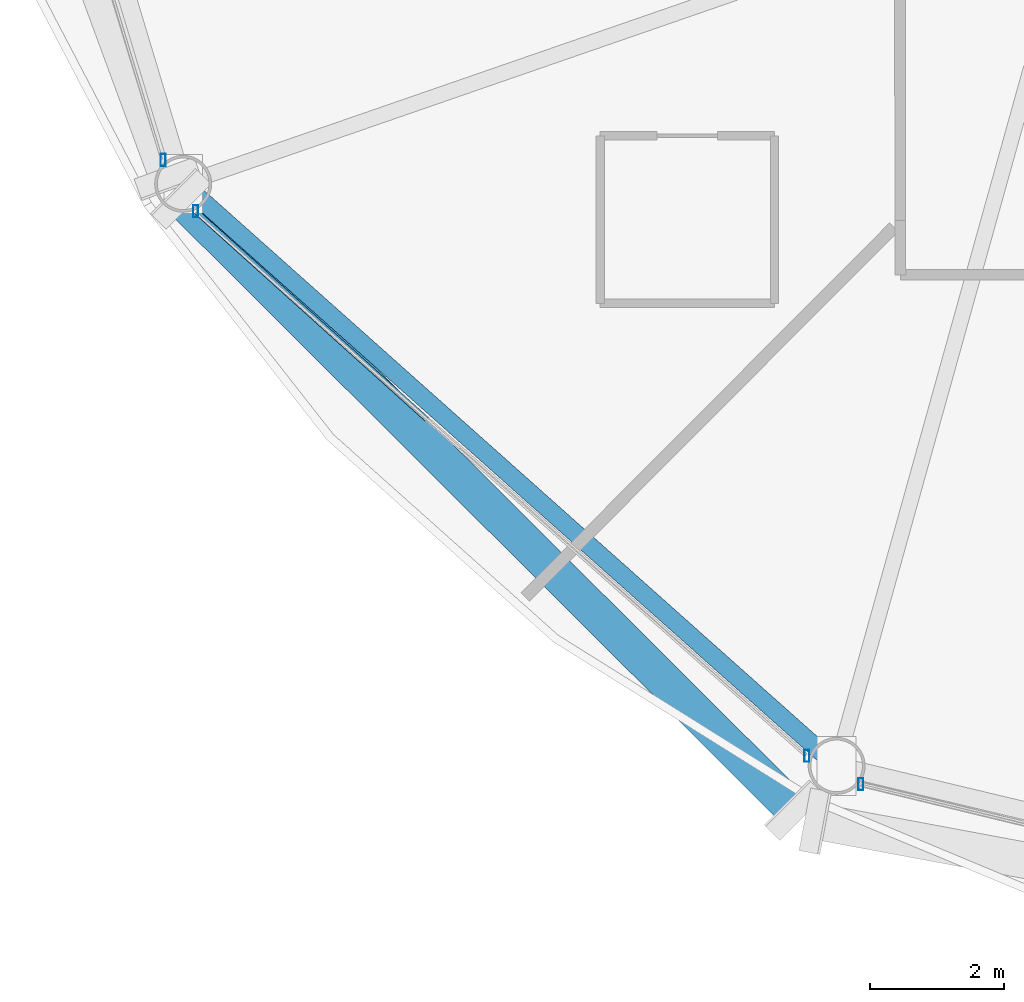
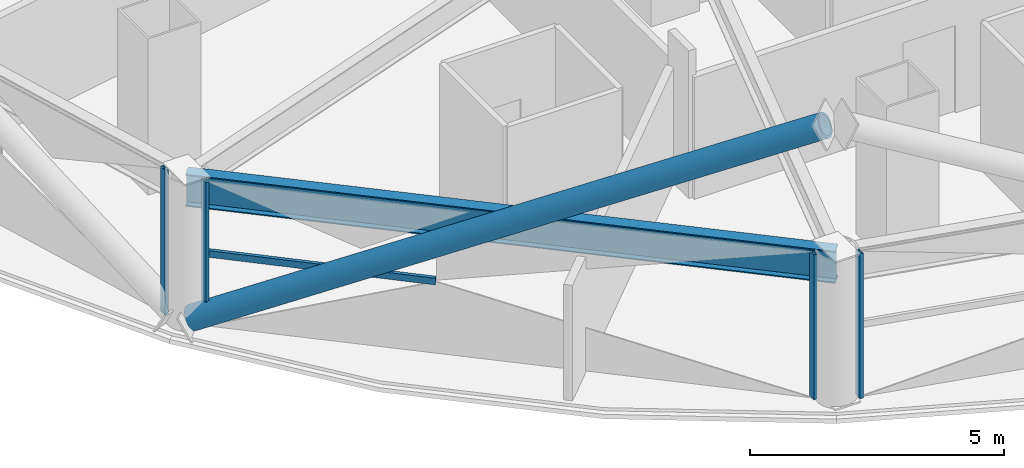
# One storey, part 2 of 30: 6 members, 1 beam, 3 elements without a shape of their own.
"""IFC4 building model written with IfcOpenShell, lengths in metres."""

from ifc_helpers import new_model, si_unit, direction, frame, origin, origin_2d, place, context, subcontext, project, spatial, hollow_rectangle, hollow_circle, i_section, extrude, material, layer, layer_set, material_profile, profile_set, type_object, element, aggregate, save


model = new_model("IFC4")

# Units and contexts
model_context = context("Model", 3, precision=1e-05, world=origin(), true_north=direction((0.0, 1.0)))
body_context = subcontext(model_context, "Body", "Model", "MODEL_VIEW")
ifc_project = project(units=[si_unit("LENGTHUNIT", "METRE"), si_unit("AREAUNIT", "SQUARE_METRE"), si_unit("VOLUMEUNIT", "CUBIC_METRE"), si_unit("PLANEANGLEUNIT", "RADIAN"), si_unit("MASSUNIT", "GRAM", prefix="KILO")], contexts=[model_context])

# Site, building, storey
site_placement = place(None, origin())
site = spatial("IfcSite", under=ifc_project, at=site_placement, CompositionType="ELEMENT")
building_placement = place(site_placement, origin())
building = spatial("IfcBuilding", under=site, at=building_placement, Name="Vantalir Tower", CompositionType="ELEMENT")
storey_placement = place(building_placement, frame((0.0, 0.0, 49.5)))
storey = spatial("IfcBuildingStorey", under=building, at=storey_placement, Name="L11", CompositionType="ELEMENT", Elevation=49.5)

# Beam
ifc_material_1 = material(Name="Steel S460", Category="steel")
ifc_material_profile_1 = material_profile(ifc_material_1, i_section(OverallWidth=0.26806640625, OverallDepth=0.77001953125, WebThickness=0.015625, FlangeThickness=0.025390625, at=origin_2d()), Name="Steel S460")
ifc_profile_set_1 = profile_set([ifc_material_profile_1], Name="Steel S460")
beam_type = type_object("IfcBeamType", Name="BM-RG-762x267", PredefinedType="USERDEFINED", material=ifc_profile_set_1)
beam_placement = place(storey_placement, frame((8.429931640625, 13.136962890625, 3.18505859375), z_axis=(0.746746630555, -0.665108615005, 0.0), x_axis=(0.665108615005, 0.746746630555, 0.0)))
element("IfcBeam", 1, at=beam_placement, inside=storey, type_object=beam_type, Name="L11 Circumferential Ring Girder 08", ObjectType="GIRDER", PredefinedType="USERDEFINED", context=body_context, shape_type="SweptSolid", body=[
    extrude(i_section(OverallWidth=0.26806640625, OverallDepth=0.77001953125, WebThickness=0.015625, FlangeThickness=0.025390625, at=origin_2d()), origin(), (0.0, 0.0, 1.0), 13.056640625),
])

# Curtain wall, member
ifc_material_2 = material(Name="Champagne-silver PVDF aluminium and double-silver Low-E glass", Category="aluminium")
ifc_layer = layer(ifc_material_2, 0.18994140625)
ifc_layer_set = layer_set([ifc_layer], Name="Champagne-silver PVDF aluminium and double-silver Low-E glass")
curtain_wall_type = type_object("IfcCurtainWallType", Name="CW-DIAMOND-Z1", PredefinedType="USERDEFINED", material=ifc_layer_set)
curtain_wall_1_placement = place(storey_placement, origin())
curtain_wall_1 = element("IfcCurtainWall", 2, at=curtain_wall_1_placement, inside=storey, type_object=curtain_wall_type, Name="L11 Quilted Pyramid-Diamond Curtain Wall S07", ObjectType="UNITISED CURTAIN WALL", PredefinedType="USERDEFINED")
ifc_material_3 = material(Name="Champagne-silver PVDF aluminium 6063-T6", Category="aluminium")
ifc_material_profile_2 = material_profile(ifc_material_3, hollow_rectangle(XDim=0.074951171875, YDim=0.179931640625, WallThickness=0.00390625, at=origin_2d()), Name="Champagne-silver PVDF aluminium 6063-T6")
ifc_profile_set_2 = profile_set([ifc_material_profile_2], Name="Champagne-silver PVDF aluminium 6063-T6")
member_type_1 = type_object("IfcMemberType", Name="CWM-180x75", PredefinedType="MULLION", material=ifc_profile_set_2)
member_1_placement = place(storey_placement, frame((8.1298828125, 13.491943359375, 0.044921875), z_axis=(0.0, 0.0, 1.0), x_axis=(1.0, 0.0, 0.0)))
member_1 = element("IfcMember", 3, at=member_1_placement, type_object=member_type_1, Name="CW-L11-S07 Mullion 2", PredefinedType="MULLION", context=body_context, shape_type="SweptSolid", body=[
    extrude(hollow_rectangle(XDim=0.074951171875, YDim=0.179931640625, WallThickness=0.00390625, at=origin_2d()), origin(), (0.0, 0.0, 1.0), 3.47998046875),
])
aggregate(curtain_wall_1, [member_1])

# Curtain wall, members
curtain_wall_2_placement = place(storey_placement, origin())
curtain_wall_2 = element("IfcCurtainWall", 4, at=curtain_wall_2_placement, inside=storey, type_object=curtain_wall_type, Name="L11 Quilted Pyramid-Diamond Curtain Wall S08", ObjectType="UNITISED CURTAIN WALL", PredefinedType="USERDEFINED")
member_2_placement = place(storey_placement, frame((8.615966796875, 12.72900390625, 0.044921875), z_axis=(0.0, 0.0, 1.0), x_axis=(1.0, 0.0, 0.0)))
member_2 = element("IfcMember", 5, at=member_2_placement, type_object=member_type_1, Name="CW-L11-S08 Mullion 1", PredefinedType="MULLION", context=body_context, shape_type="SweptSolid", body=[
    extrude(hollow_rectangle(XDim=0.074951171875, YDim=0.179931640625, WallThickness=0.00390625, at=origin_2d()), origin(), (0.0, 0.0, 1.0), 3.47998046875),
])
member_3_placement = place(storey_placement, frame((17.73388671875, 4.60107421875, 0.044921875), z_axis=(0.0, 0.0, 1.0), x_axis=(1.0, 0.0, 0.0)))
member_3 = element("IfcMember", 6, at=member_3_placement, type_object=member_type_1, Name="CW-L11-S08 Mullion 2", PredefinedType="MULLION", context=body_context, shape_type="SweptSolid", body=[
    extrude(hollow_rectangle(XDim=0.074951171875, YDim=0.179931640625, WallThickness=0.00390625, at=origin_2d()), origin(), (0.0, 0.0, 1.0), 3.47998046875),
])

# Curtain wall, member
curtain_wall_3_placement = place(storey_placement, origin())
curtain_wall_3 = element("IfcCurtainWall", 7, at=curtain_wall_3_placement, inside=storey, type_object=curtain_wall_type, Name="L11 Quilted Pyramid-Diamond Curtain Wall S09", ObjectType="UNITISED CURTAIN WALL", PredefinedType="USERDEFINED")
member_4_placement = place(storey_placement, frame((18.5419921875, 4.178955078125, 0.044921875), z_axis=(0.0, 0.0, 1.0), x_axis=(1.0, 0.0, 0.0)))
member_4 = element("IfcMember", 8, at=member_4_placement, type_object=member_type_1, Name="CW-L11-S09 Mullion 1", PredefinedType="MULLION", context=body_context, shape_type="SweptSolid", body=[
    extrude(hollow_rectangle(XDim=0.074951171875, YDim=0.179931640625, WallThickness=0.00390625, at=origin_2d()), origin(), (0.0, 0.0, 1.0), 3.47998046875),
])
aggregate(curtain_wall_3, [member_4])

# Member
ifc_material_profile_3 = material_profile(ifc_material_3, hollow_rectangle(XDim=0.074951171875, YDim=0.159912109375, WallThickness=0.00390625, at=origin_2d()), Name="Champagne-silver PVDF aluminium 6063-T6")
ifc_profile_set_3 = profile_set([ifc_material_profile_3], Name="Champagne-silver PVDF aluminium 6063-T6")
member_type_2 = type_object("IfcMemberType", Name="CWT-160x75", PredefinedType="USERDEFINED", material=ifc_profile_set_3)
member_5_placement = place(storey_placement, frame((8.615966796875, 12.72900390625, 1.784912109375), z_axis=(0.743123962124, -0.669153776734, 0.0), x_axis=(0.669153776734, 0.743123962124, 0.0)))
member_5 = element("IfcMember", 9, at=member_5_placement, type_object=member_type_2, Name="CW-L11-S08 Pyramid Fold Ridge Transom", ObjectType="TRANSOM", PredefinedType="USERDEFINED", context=body_context, shape_type="SweptSolid", body=[
    extrude(hollow_rectangle(XDim=0.074951171875, YDim=0.159912109375, WallThickness=0.00390625, at=origin_2d()), origin(), (0.0, 0.0, 1.0), 4.63720703125),
])

aggregate(curtain_wall_2, [member_2, member_3, member_5])

ifc_material_profile_4 = material_profile(ifc_material_1, hollow_circle(Radius=0.27001953125, WallThickness=0.044921875, at=origin_2d()), Name="Steel S460")
ifc_profile_set_4 = profile_set([ifc_material_profile_4], Name="Steel S460")
member_type_3 = type_object("IfcMemberType", Name="MEM-DB-540x45", PredefinedType="BRACE", material=ifc_profile_set_4)
member_6_placement = place(storey_placement, frame((8.402099609375, 12.905029296875, 0.18408203125), z_axis=(0.623595670539, -0.62141357708, 0.474313826391), x_axis=(0.705866370422, 0.708345019822, 0.0)))
element("IfcMember", 10, at=member_6_placement, inside=storey, type_object=member_type_3, Name="L11 Perimeter S460 Diagrid Brace R22L", PredefinedType="BRACE", context=body_context, shape_type="SweptSolid", body=[
    extrude(hollow_circle(Radius=0.27001953125, WallThickness=0.044921875, at=origin_2d()), origin(), (0.0, 0.0, 1.0), 14.65673828125),
])

save(model, "model.ifc")
